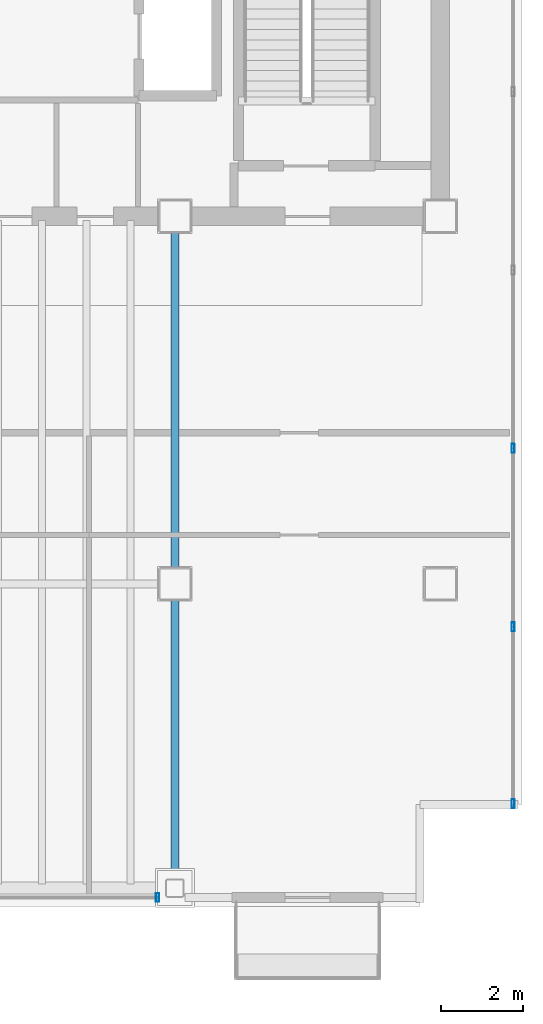
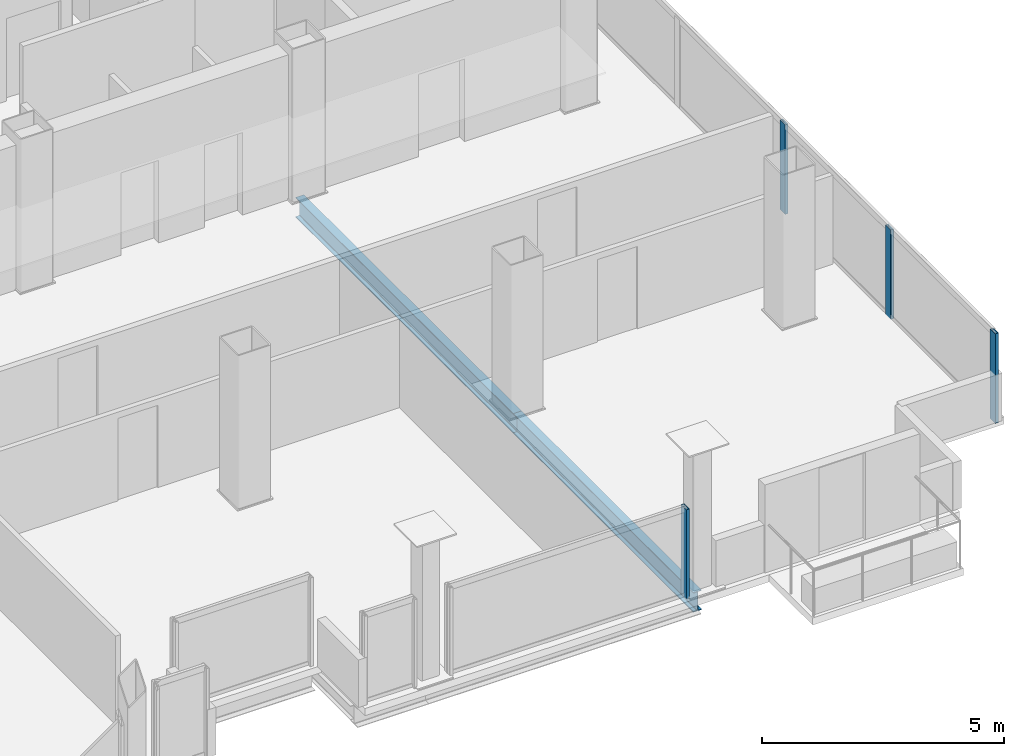
# One storey, part 10 of 16: 4 members, 2 beams, 2 elements without a shape of their own.
"""IFC4 building model written with IfcOpenShell, lengths in metres."""

from ifc_helpers import new_model, si_unit, direction, frame, origin, origin_2d, place, context, subcontext, project, spatial, hollow_rectangle, i_section, extrude, material, material_profile, profile_set, type_object, element, aggregate, save


model = new_model("IFC4")

# Units and contexts
model_context = context("Model", 3, precision=1e-05, world=origin(), true_north=direction((0.0, 1.0)))
body_context = subcontext(model_context, "Body", "Model", "MODEL_VIEW")
ifc_project = project(units=[si_unit("LENGTHUNIT", "METRE"), si_unit("AREAUNIT", "SQUARE_METRE"), si_unit("VOLUMEUNIT", "CUBIC_METRE"), si_unit("PLANEANGLEUNIT", "RADIAN"), si_unit("MASSUNIT", "GRAM", prefix="KILO")], contexts=[model_context])

# Site, building, storey
site_placement = place(None, origin())
site = spatial("IfcSite", under=ifc_project, at=site_placement, CompositionType="ELEMENT")
building_placement = place(site_placement, origin())
building = spatial("IfcBuilding", under=site, at=building_placement, Name="Noeulbin Bourse Tower", CompositionType="ELEMENT")
storey_placement = place(building_placement, frame((0.0, 0.0, 254.0)))
storey = spatial("IfcBuildingStorey", under=building, at=storey_placement, Name="L63", CompositionType="ELEMENT", Elevation=254.0)

# Beams
ifc_material_1 = material(Name="Steel S355", Category="steel")
ifc_material_profile_1 = material_profile(ifc_material_1, i_section(OverallWidth=0.199951171875, OverallDepth=0.5, WebThickness=0.010009765625, FlangeThickness=0.01611328125, FilletRadius=0.02001953125, at=origin_2d()), Name="H-500x200x10x16", Category="LoadBearing")
ifc_profile_set_1 = profile_set([ifc_material_profile_1], Name="Steel S355")
beam_type = type_object("IfcBeamType", Name="BM-GRD-500", PredefinedType="USERDEFINED", material=ifc_profile_set_1)
beam_1_placement = place(storey_placement, frame((37.5, 12.550048828125, -0.429931640625), z_axis=(0.0, 1.0, 0.0), x_axis=(-1.0, 0.0, 0.0)))
element("IfcBeam", 1, at=beam_1_placement, inside=storey, type_object=beam_type, Name="Tower Primary Girder NS L63-4.1", ObjectType="GIRDER", PredefinedType="USERDEFINED", context=body_context, shape_type="SweptSolid", body=[
    extrude(i_section(OverallWidth=0.199951171875, OverallDepth=0.5, WebThickness=0.010009765625, FlangeThickness=0.01611328125, FilletRadius=0.02001953125, at=origin_2d()), origin(), (0.0, 0.0, 1.0), 7.449951171875),
])
beam_2_placement = place(storey_placement, frame((37.5, 20.0, -0.429931640625), z_axis=(0.0, 1.0, 0.0), x_axis=(-1.0, 0.0, 0.0)))
element("IfcBeam", 2, at=beam_2_placement, inside=storey, type_object=beam_type, Name="Tower Primary Girder NS L63-4.2", ObjectType="GIRDER", PredefinedType="USERDEFINED", context=body_context, shape_type="SweptSolid", body=[
    extrude(i_section(OverallWidth=0.199951171875, OverallDepth=0.5, WebThickness=0.010009765625, FlangeThickness=0.01611328125, FilletRadius=0.02001953125, at=origin_2d()), origin(), (0.0, 0.0, 1.0), 9.0),
])

# Curtain wall, member
ifc_material_2 = material(Name="High-Selectivity Low-Iron Glazing", Category="glass")
curtain_wall_type = type_object("IfcCurtainWallType", Name="CW-SYS-4", PredefinedType="NOTDEFINED", material=ifc_material_2)
curtain_wall_1_placement = place(storey_placement, origin())
curtain_wall_1 = element("IfcCurtainWall", 3, at=curtain_wall_1_placement, inside=storey, type_object=curtain_wall_type, Name="Unitised Curtain Wall CW-L63-S2-S2", PredefinedType="NOTDEFINED")
ifc_material_3 = material(Name="Anodised Aluminium 6063-T6", Category="aluminium")
ifc_material_profile_2 = material_profile(ifc_material_3, hollow_rectangle(XDim=0.074951171875, YDim=0.219970703125, WallThickness=0.0048828125, InnerFilletRadius=0.00244140625, OuterFilletRadius=0.0048828125, at=origin_2d()), Name="ALU-MULL-75x220x5", Category="LoadBearing")
ifc_profile_set_2 = profile_set([ifc_material_profile_2], Name="Anodised Aluminium 6063-T6")
member_type = type_object("IfcMemberType", Name="CW-SYS-4-MUL", PredefinedType="MULLION", material=ifc_profile_set_2)
member_1_placement = place(storey_placement, frame((37.074951171875, 12.320068359375, -0.02001953125), z_axis=(0.0, 0.0, 1.0), x_axis=(1.0, 0.0, 0.0)))
member_1 = element("IfcMember", 4, at=member_1_placement, type_object=member_type, Name="Curtain Wall Mullion CW-L63-S2-S2-M01", PredefinedType="MULLION", context=body_context, shape_type="SweptSolid", body=[
    extrude(hollow_rectangle(XDim=0.074951171875, YDim=0.219970703125, WallThickness=0.0048828125, InnerFilletRadius=0.00244140625, OuterFilletRadius=0.0048828125, at=origin_2d()), origin(), (0.0, 0.0, 1.0), 2.260009765625),
])
aggregate(curtain_wall_1, [member_1])

# Curtain wall, members
curtain_wall_2_placement = place(storey_placement, origin())
curtain_wall_2 = element("IfcCurtainWall", 5, at=curtain_wall_2_placement, inside=storey, type_object=curtain_wall_type, Name="Unitised Curtain Wall CW-L63-E", PredefinedType="NOTDEFINED")
member_2_placement = place(storey_placement, frame((45.780029296875, 14.6201171875, -0.02001953125), z_axis=(0.0, 0.0, 1.0), x_axis=(1.0, 0.0, 0.0)))
member_2 = element("IfcMember", 6, at=member_2_placement, type_object=member_type, Name="Curtain Wall Mullion CW-L63-E-M00", PredefinedType="MULLION", context=body_context, shape_type="SweptSolid", body=[
    extrude(hollow_rectangle(XDim=0.074951171875, YDim=0.219970703125, WallThickness=0.0048828125, InnerFilletRadius=0.00244140625, OuterFilletRadius=0.0048828125, at=origin_2d()), origin(), (0.0, 0.0, 1.0), 2.260009765625),
])
member_3_placement = place(storey_placement, frame((45.780029296875, 18.947998046875, -0.02001953125), z_axis=(0.0, 0.0, 1.0), x_axis=(1.0, 0.0, 0.0)))
member_3 = element("IfcMember", 7, at=member_3_placement, type_object=member_type, Name="Curtain Wall Mullion CW-L63-E-M01", PredefinedType="MULLION", context=body_context, shape_type="SweptSolid", body=[
    extrude(hollow_rectangle(XDim=0.074951171875, YDim=0.219970703125, WallThickness=0.0048828125, InnerFilletRadius=0.00244140625, OuterFilletRadius=0.0048828125, at=origin_2d()), origin(), (0.0, 0.0, 1.0), 2.260009765625),
])
member_4_placement = place(storey_placement, frame((45.780029296875, 23.31591796875, -0.02001953125), z_axis=(0.0, 0.0, 1.0), x_axis=(1.0, 0.0, 0.0)))
member_4 = element("IfcMember", 8, at=member_4_placement, type_object=member_type, Name="Curtain Wall Mullion CW-L63-E-M02", PredefinedType="MULLION", context=body_context, shape_type="SweptSolid", body=[
    extrude(hollow_rectangle(XDim=0.074951171875, YDim=0.219970703125, WallThickness=0.0048828125, InnerFilletRadius=0.00244140625, OuterFilletRadius=0.0048828125, at=origin_2d()), origin(), (0.0, 0.0, 1.0), 2.260009765625),
])
aggregate(curtain_wall_2, [member_2, member_3, member_4])

save(model, "model.ifc")
